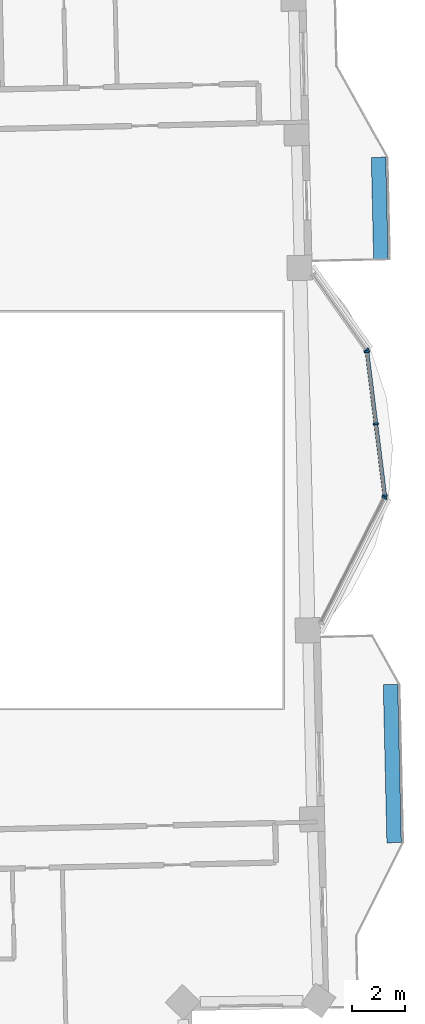
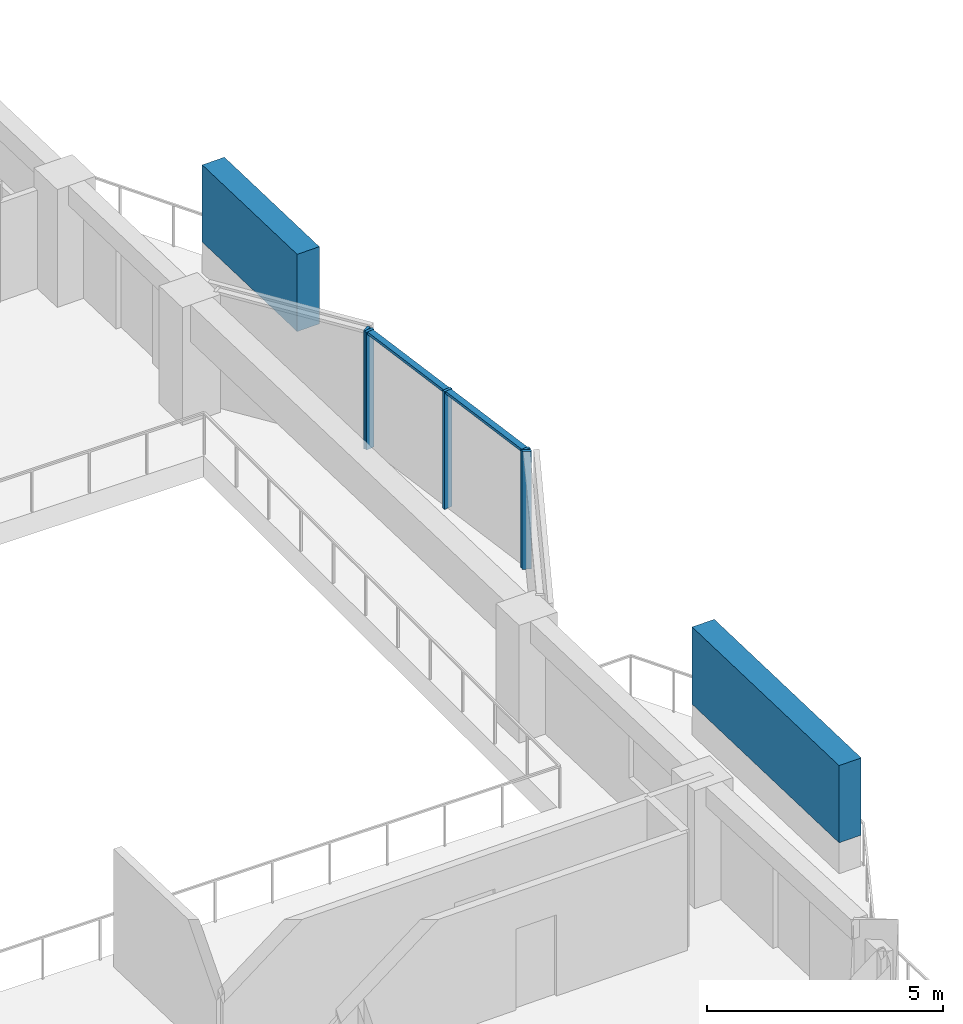
# One storey, part 5 of 18: 9 members, 3 elements without a shape of their own.
"""IFC4 building model written with IfcOpenShell, lengths in metres."""

from ifc_helpers import new_model, si_unit, direction, frame, origin, origin_2d, place, context, subcontext, project, spatial, rectangle, extrude, material, material_profile, profile_set, type_object, element, aggregate, save


model = new_model("IFC4")

# Units and contexts
model_context = context("Model", 3, precision=1e-05, world=origin(), true_north=direction((0.0, 1.0)))
body_context = subcontext(model_context, "Body", "Model", "MODEL_VIEW")
ifc_project = project(units=[si_unit("LENGTHUNIT", "METRE"), si_unit("AREAUNIT", "SQUARE_METRE"), si_unit("VOLUMEUNIT", "CUBIC_METRE"), si_unit("PLANEANGLEUNIT", "RADIAN"), si_unit("MASSUNIT", "GRAM", prefix="KILO")], contexts=[model_context])

# Site, building, storey
site_placement = place(None, origin())
site = spatial("IfcSite", under=ifc_project, at=site_placement, CompositionType="ELEMENT")
building_placement = place(site_placement, origin())
building = spatial("IfcBuilding", under=site, at=building_placement, Name="Mangrove Gate Tower", CompositionType="ELEMENT")
storey_placement = place(building_placement, frame((0.0, 0.0, 287.10009765625)))
storey = spatial("IfcBuildingStorey", under=building, at=storey_placement, Name="L73", CompositionType="ELEMENT", Elevation=287.10009765625)

# Curtain wall, member
ifc_material_1 = material(Name="Aluminium and glass curtain wall", Category="aluminium")
curtain_wall_type = type_object("IfcCurtainWallType", Name="Atrium garden-court glazing wall", PredefinedType="NOTDEFINED", material=ifc_material_1)
curtain_wall_1_placement = place(storey_placement, origin())
curtain_wall_1 = element("IfcCurtainWall", 1, at=curtain_wall_1_placement, inside=storey, type_object=curtain_wall_type, Name="Atrium garden-court glazing E1f1", PredefinedType="NOTDEFINED")
ifc_material_2 = material(Name="Aluminium alloy 6063-T6", Category="aluminium")
ifc_material_profile_1 = material_profile(ifc_material_2, rectangle(XDim=0.070068359375, YDim=0.199951171875, at=origin_2d()))
ifc_profile_set_1 = profile_set([ifc_material_profile_1], Name="Aluminium alloy 6063-T6")
member_type_1 = type_object("IfcMemberType", Name="Atrium garden-court glazing mullion 70x200", PredefinedType="MULLION", material=ifc_profile_set_1)
member_1_placement = place(storey_placement, frame((33.748046875, 0.474853515625, 0.0), z_axis=(0.0, 0.0, 1.0), x_axis=(0.452617386511, 0.891704828644, 0.0)))
member_1 = element("IfcMember", 2, at=member_1_placement, type_object=member_type_1, Name="CWA mullion 2", PredefinedType="MULLION", context=body_context, shape_type="SweptSolid", body=[
    extrude(rectangle(XDim=0.070068359375, YDim=0.199951171875, at=origin_2d()), origin(), (0.0, 0.0, 1.0), 3.0498046875),
])
aggregate(curtain_wall_1, [member_1])

# Curtain wall, members
curtain_wall_2_placement = place(storey_placement, origin())
curtain_wall_2 = element("IfcCurtainWall", 3, at=curtain_wall_2_placement, inside=storey, type_object=curtain_wall_type, Name="Atrium garden-court glazing E1f2", PredefinedType="NOTDEFINED")
member_2_placement = place(storey_placement, frame((33.759521484375, 0.540771484375, 0.0), z_axis=(0.0, 0.0, 1.0), x_axis=(-0.122172285885, 0.992508908051, 0.0)))
member_2 = element("IfcMember", 4, at=member_2_placement, type_object=member_type_1, Name="CWA mullion 1", PredefinedType="MULLION", context=body_context, shape_type="SweptSolid", body=[
    extrude(rectangle(XDim=0.070068359375, YDim=0.199951171875, at=origin_2d()), origin(), (0.0, 0.0, 1.0), 3.0498046875),
])
member_3_placement = place(storey_placement, frame((33.42333984375, 3.27197265625, 0.0), z_axis=(0.0, 0.0, 1.0), x_axis=(-0.122172285885, 0.992508908051, 0.0)))
member_3 = element("IfcMember", 5, at=member_3_placement, type_object=member_type_1, Name="CWA mullion 2", PredefinedType="MULLION", context=body_context, shape_type="SweptSolid", body=[
    extrude(rectangle(XDim=0.070068359375, YDim=0.199951171875, at=origin_2d()), origin(), (0.0, 0.0, 1.0), 3.0498046875),
])
member_4_placement = place(storey_placement, frame((33.087158203125, 6.0029296875, 0.0), z_axis=(0.0, 0.0, 1.0), x_axis=(-0.122172285885, 0.992508908051, 0.0)))
member_4 = element("IfcMember", 6, at=member_4_placement, type_object=member_type_1, Name="CWA mullion 3", PredefinedType="MULLION", context=body_context, shape_type="SweptSolid", body=[
    extrude(rectangle(XDim=0.070068359375, YDim=0.199951171875, at=origin_2d()), origin(), (0.0, 0.0, 1.0), 3.0498046875),
])

# Curtain wall, member
curtain_wall_3_placement = place(storey_placement, origin())
curtain_wall_3 = element("IfcCurtainWall", 7, at=curtain_wall_3_placement, inside=storey, type_object=curtain_wall_type, Name="Atrium garden-court glazing E1f3", PredefinedType="NOTDEFINED")
member_5_placement = place(storey_placement, frame((33.062744140625, 6.06640625, 0.0), z_axis=(0.0, 0.0, 1.0), x_axis=(-0.578135022674, 0.815941110349, 0.0)))
member_5 = element("IfcMember", 8, at=member_5_placement, type_object=member_type_1, Name="CWA mullion 1", PredefinedType="MULLION", context=body_context, shape_type="SweptSolid", body=[
    extrude(rectangle(XDim=0.070068359375, YDim=0.199951171875, at=origin_2d()), origin(), (0.0, 0.0, 1.0), 3.0498046875),
])
aggregate(curtain_wall_3, [member_5])

# Member
ifc_material_3 = material(Name="Aluminium alloy 6063-T6", Category="aluminium")
ifc_material_profile_2 = material_profile(ifc_material_3, rectangle(XDim=0.070068359375, YDim=0.14990234375, at=origin_2d()))
ifc_profile_set_2 = profile_set([ifc_material_profile_2], Name="Aluminium alloy 6063-T6")
member_type_2 = type_object("IfcMemberType", Name="Atrium garden-court glazing transom 70x150", PredefinedType="USERDEFINED", material=ifc_profile_set_2)
member_6_placement = place(storey_placement, frame((33.75537109375, 0.575439453125, 3.014892578125), z_axis=(-0.122174517154, 0.992508633392, 0.0), x_axis=(0.0, 0.0, 1.0)))
member_6 = element("IfcMember", 9, at=member_6_placement, type_object=member_type_2, Name="CWA transom 1.2", ObjectType="TRANSOM", PredefinedType="USERDEFINED", context=body_context, shape_type="SweptSolid", body=[
    extrude(rectangle(XDim=0.070068359375, YDim=0.14990234375, at=origin_2d()), origin(), (0.0, 0.0, 1.0), 2.681640625),
])

member_7_placement = place(storey_placement, frame((33.419189453125, 3.306640625, 3.014892578125), z_axis=(-0.122174517154, 0.992508633392, 0.0), x_axis=(0.0, 0.0, 1.0)))
member_7 = element("IfcMember", 10, at=member_7_placement, type_object=member_type_2, Name="CWA transom 2.2", ObjectType="TRANSOM", PredefinedType="USERDEFINED", context=body_context, shape_type="SweptSolid", body=[
    extrude(rectangle(XDim=0.070068359375, YDim=0.14990234375, at=origin_2d()), origin(), (0.0, 0.0, 1.0), 2.681640625),
])

aggregate(curtain_wall_2, [member_2, member_3, member_4, member_6, member_7])

# Members
ifc_material_4 = material(Name="Planting on aluminium trellis", Category="aluminium")
ifc_material_profile_3 = material_profile(ifc_material_4, rectangle(XDim=0.550048828125, YDim=2.0, at=origin_2d()))
ifc_profile_set_3 = profile_set([ifc_material_profile_3], Name="Planting on aluminium trellis")
member_type_3 = type_object("IfcMemberType", Name="Balcony greenery screen 550x2000", PredefinedType="USERDEFINED", material=ifc_profile_set_3)
member_8_placement = place(storey_placement, frame((34.114990234375, -12.615966796875, 1.7998046875), z_axis=(-0.022662255828, 0.999743178102, 0.0), x_axis=(-0.999743178102, -0.022662255828, 0.0)))
element("IfcMember", 11, at=member_8_placement, inside=storey, type_object=member_type_3, Name="GREEN SCREEN L73 E0.1", ObjectType="PLANTING", PredefinedType="USERDEFINED", context=body_context, shape_type="SweptSolid", body=[
    extrude(rectangle(XDim=0.550048828125, YDim=2.0, at=origin_2d()), origin(), (0.0, 0.0, 1.0), 6.00048828125),
])
member_9_placement = place(storey_placement, frame((33.613037109375, 9.50390625, 1.7998046875), z_axis=(-0.022744303924, 0.999741314861, 0.0), x_axis=(-0.999741314861, -0.022744303924, 0.0)))
element("IfcMember", 12, at=member_9_placement, inside=storey, type_object=member_type_3, Name="GREEN SCREEN L73 E1.1", ObjectType="PLANTING", PredefinedType="USERDEFINED", context=body_context, shape_type="SweptSolid", body=[
    extrude(rectangle(XDim=0.550048828125, YDim=2.0, at=origin_2d()), origin(), (0.0, 0.0, 1.0), 3.875),
])

save(model, "model.ifc")
